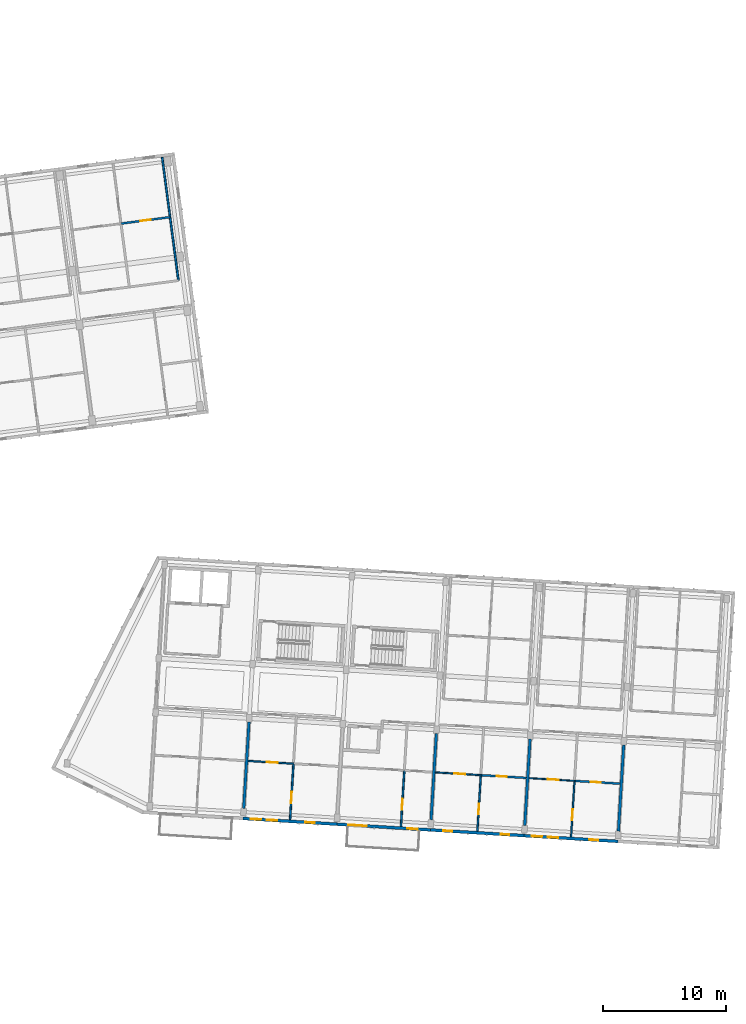
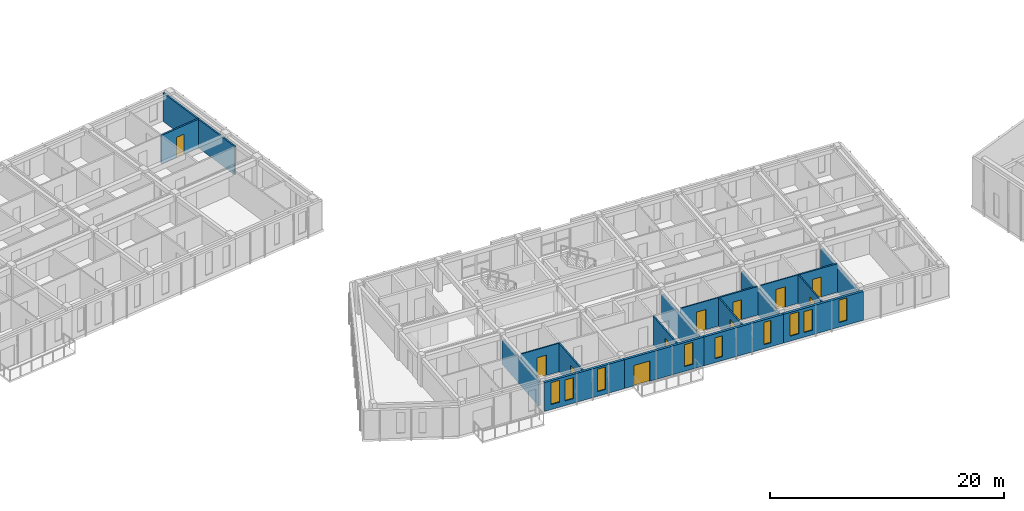
# One storey, part 24 of 65: 19 walls, 11 doors, 9 windows, 20 openings.
"""IFC4 building model written with IfcOpenShell, lengths in metres."""

import ifcopenshell
import ifcopenshell.guid

model = None  # the IFC model being written
_history = None  # IfcOwnerHistory: only IFC2X3 demands one
_inside = {}  # id of a spatial element -> (the spatial element, [elements in it])
_under = {}  # id of a project, library or spatial element -> (it, [spatial elements below it])
_declared = {}  # id of a project -> (the project, [libraries it declares])
_typed = {}  # id of a type object -> (the type object, [elements of that type])
_made_of = {}  # id of a material, layer set ... -> (it, [elements and type objects made of it])


def new_model(schema):
    """Start an empty IFC model of exactly this schema.

    Asked for "IFC4X3", IfcOpenShell would pick the latest addendum, in which some entities
    have other attributes; the version numbers below select the first issue.
    IFC2X3 requires an IfcOwnerHistory on every rooted entity: one is made here for all.
    """
    global model, _history
    if schema == "IFC4X3":
        model = ifcopenshell.file(schema_version=(4, 3, 0, 0))
    else:
        model = ifcopenshell.file(schema=schema)
    _inside.clear()
    _under.clear()
    _declared.clear()
    _typed.clear()
    _made_of.clear()
    _history = None
    if model.schema == "IFC2X3":
        org = make("IfcOrganization", Name="unknown")
        user = make(
            "IfcPersonAndOrganization",
            ThePerson=make("IfcPerson", FamilyName="unknown"),
            TheOrganization=org,
        )
        app = make(
            "IfcApplication",
            ApplicationDeveloper=org,
            Version="unknown",
            ApplicationFullName="unknown",
            ApplicationIdentifier="unknown",
        )
        _history = make(
            "IfcOwnerHistory",
            OwningUser=user,
            OwningApplication=app,
            ChangeAction="ADDED",
            CreationDate=0,
        )
    return model


def make(cls, **values):
    """One entity of the class cls with the attributes given. An attribute that is None is left unset."""
    return model.create_entity(
        cls, **{name: value for name, value in values.items() if value is not None}
    )


def rooted(cls, **values):
    """An entity with a GlobalId (a new one), such as an element, a storey or a relation."""
    return make(cls, GlobalId=ifcopenshell.guid.new(), OwnerHistory=_history, **values)


def si_unit(unit_type, name, prefix=None):
    """IfcSIUnit, for example si_unit("LENGTHUNIT", "METRE", prefix="MILLI")."""
    return make("IfcSIUnit", UnitType=unit_type, Prefix=prefix, Name=name)


def assignment(units):
    """IfcUnitAssignment: the units of a project."""
    return None if units is None else make("IfcUnitAssignment", Units=units)


def point(xyz):
    """IfcCartesianPoint."""
    return None if xyz is None else make("IfcCartesianPoint", Coordinates=xyz)


def direction(xyz):
    """IfcDirection."""
    return None if xyz is None else make("IfcDirection", DirectionRatios=xyz)


def frame(location, z_axis=None, x_axis=None):
    """IfcAxis2Placement3D, a coordinate frame: its origin and axes. An axis left out is left unset."""
    return make(
        "IfcAxis2Placement3D",
        Location=point(location),
        Axis=direction(z_axis),
        RefDirection=direction(x_axis),
    )


def frame_2d(location, x_axis=None):
    """IfcAxis2Placement2D, a coordinate frame in the plane: its origin and x axis."""
    return make(
        "IfcAxis2Placement2D", Location=point(location), RefDirection=direction(x_axis)
    )


def origin():
    """The frame at (0, 0, 0) with its axes left unset."""
    return frame((0.0, 0.0, 0.0))


def place(relative_to, where):
    """IfcLocalPlacement: puts the frame where relative to a parent placement (None: the world)."""
    return make(
        "IfcLocalPlacement", PlacementRelTo=relative_to, RelativePlacement=where
    )


def context(
    kind, dimensions, precision=None, world=None, true_north=None, identifier=None
):
    """IfcGeometricRepresentationContext, for example the 3D "Model" context."""
    return make(
        "IfcGeometricRepresentationContext",
        ContextIdentifier=identifier,
        ContextType=kind,
        CoordinateSpaceDimension=dimensions,
        Precision=precision,
        WorldCoordinateSystem=world,
        TrueNorth=true_north,
    )


def subcontext(parent, identifier, kind, view, scale=None):
    """IfcGeometricRepresentationSubContext, for example "Body" below "Model"."""
    return make(
        "IfcGeometricRepresentationSubContext",
        ContextIdentifier=identifier,
        ContextType=kind,
        ParentContext=parent,
        TargetScale=scale,
        TargetView=view,
    )


def project(units=None, contexts=None):
    """IfcProject with its units and contexts."""
    return rooted(
        "IfcProject",
        Name="project",
        RepresentationContexts=contexts,
        UnitsInContext=assignment(units),
    )


def spatial(cls, under=None, at=None, **own):
    """A site, building, storey or space (cls), placed at a placement, below another one or the project."""
    s = rooted(cls, ObjectPlacement=at, **own)
    if under is not None:
        _under.setdefault(under.id(), (under, []))[1].append(s)
    return s


def profile(cls, at=None, kind="AREA", **sizes):
    """A parametric profile (cls). Its sizes go by their IFC names, for example OverallWidth=200.0."""
    return make(cls, ProfileType=kind, Position=at, **sizes)


def rectangle(**sizes):
    """IfcRectangleProfileDef."""
    return profile("IfcRectangleProfileDef", **sizes)


def extrude(swept, where, along, depth):
    """IfcExtrudedAreaSolid: the profile swept, set in the frame where, extruded along a direction by depth."""
    return make(
        "IfcExtrudedAreaSolid",
        SweptArea=swept,
        Position=where,
        ExtrudedDirection=direction(along),
        Depth=depth,
    )


def shape(context_of_items, identifier, shape_type, items):
    """IfcShapeRepresentation: the items that make up one representation, for example the "Body"."""
    return make(
        "IfcShapeRepresentation",
        ContextOfItems=context_of_items,
        RepresentationIdentifier=identifier,
        RepresentationType=shape_type,
        Items=items,
    )


def material(Name=None, Category=None):
    """IfcMaterial."""
    return make("IfcMaterial", Name=Name, Category=Category)


def layer(
    of_material, thickness, ventilated=None, Name=None, Category=None, Priority=None
):
    """IfcMaterialLayer: one layer of a wall or slab, of a material (None: an air gap)."""
    return make(
        "IfcMaterialLayer",
        Material=of_material,
        LayerThickness=thickness,
        IsVentilated=ventilated,
        Name=Name,
        Category=Category,
        Priority=Priority,
    )


def layer_set(layers, Name=None):
    """IfcMaterialLayerSet."""
    return make("IfcMaterialLayerSet", MaterialLayers=layers, LayerSetName=Name)


def made_of(thing, what):
    """Note that an element or type object is made of a material, layer set ...; save() writes the relation."""
    if what is not None:
        _made_of.setdefault(what.id(), (what, []))[1].append(thing)
    return thing


def type_object(cls, material=None, **own):
    """A type object (cls), such as IfcWallType, which elements share."""
    return made_of(rooted(cls, **own), material)


def element(
    cls,
    number,
    at=None,
    inside=None,
    cuts=None,
    type_object=None,
    material=None,
    context=None,
    identifier="Body",
    shape_type=None,
    held_by="IfcProductDefinitionShape",
    body=None,
    shapes=None,
    **own,
):
    """One element of the class cls, such as IfcWall. Its Tag is "e" and its number.

    at: its placement. inside: the storey or other place that contains it. cuts: it is an
    opening in that element (IfcRelVoidsElement). A single representation is given by context,
    identifier, shape_type and body (its items); several are given by shapes. held_by: the class
    of the entity that holds the representations. save() writes the other relations.
    """
    e = rooted(cls, Tag="e%d" % number, ObjectPlacement=at, **own)
    if body is not None:
        shapes = [shape(context, identifier, shape_type, body)]
    if shapes is not None:
        e.Representation = make(held_by, Representations=shapes)
    if inside is not None:
        _inside.setdefault(inside.id(), (inside, []))[1].append(e)
    if cuts is not None:
        rooted(
            "IfcRelVoidsElement", RelatingBuildingElement=cuts, RelatedOpeningElement=e
        )
    if type_object is not None:
        _typed.setdefault(type_object.id(), (type_object, []))[1].append(e)
    return made_of(e, material)


def fill(opening, filler):
    """IfcRelFillsElement: the door or window that sits in an opening."""
    return rooted(
        "IfcRelFillsElement",
        RelatingOpeningElement=opening,
        RelatedBuildingElement=filler,
    )


def aggregate(whole, parts):
    """IfcRelAggregates: a whole, such as a stair, and the parts it consists of."""
    return rooted("IfcRelAggregates", RelatingObject=whole, RelatedObjects=parts)


def save(model, path):
    """Write the relations noted so far, then the file.

    IfcRelAggregates (storeys below a building ...), IfcRelContainedInSpatialStructure (elements
    in a storey), IfcRelDefinesByType, IfcRelAssociatesMaterial and IfcRelDeclares: one each for
    every whole, place, type object, material and project.
    """
    for whole, parts in _under.values():
        aggregate(whole, parts)
    for where, things in _inside.values():
        rooted(
            "IfcRelContainedInSpatialStructure",
            RelatedElements=things,
            RelatingStructure=where,
        )
    for kind, things in _typed.values():
        rooted("IfcRelDefinesByType", RelatedObjects=things, RelatingType=kind)
    for what, things in _made_of.values():
        rooted("IfcRelAssociatesMaterial", RelatedObjects=things, RelatingMaterial=what)
    for by, libraries in _declared.values():
        rooted("IfcRelDeclares", RelatingContext=by, RelatedDefinitions=libraries)
    model.write(path)


model = new_model("IFC4")

# Units and contexts
model_context = context("Model", 3, precision=1e-05, world=origin(), true_north=direction((0.0, 1.0)))
body_context = subcontext(model_context, "Body", "Model", "MODEL_VIEW")
ifc_project = project(units=[si_unit("LENGTHUNIT", "METRE"), si_unit("AREAUNIT", "SQUARE_METRE"), si_unit("VOLUMEUNIT", "CUBIC_METRE"), si_unit("PLANEANGLEUNIT", "RADIAN"), si_unit("MASSUNIT", "GRAM", prefix="KILO")], contexts=[model_context])

# Site, building, storey
site_placement = place(None, origin())
site = spatial("IfcSite", under=ifc_project, at=site_placement, CompositionType="ELEMENT")
building_placement = place(site_placement, origin())
building = spatial("IfcBuilding", under=site, at=building_placement, Name="Kestramere Prow Commons", CompositionType="ELEMENT")
storey_placement = place(building_placement, frame((0.0, 0.0, 21.39990234375)))
storey = spatial("IfcBuildingStorey", under=building, at=storey_placement, Name="L06", CompositionType="ELEMENT", Elevation=21.39990234375)

# Wall, openings, windows
ifc_material_1 = material(Name="Fluoropolymer Standing-Seam Zinc-Aluminium Cladding", Category="aluminium")
ifc_layer_1 = layer(ifc_material_1, 0.239990234375)
ifc_layer_set_1 = layer_set([ifc_layer_1], Name="Fluoropolymer Standing-Seam Zinc-Aluminium Cladding")
wall_type_1 = type_object("IfcWallType", Name="EW-SEAM-240", PredefinedType="SOLIDWALL", material=ifc_layer_set_1)
wall_1_placement = place(storey_placement, frame((74.6396484375, 45.048095703125, 0.0), z_axis=(0.0, 0.0, 1.0), x_axis=(-0.998135669243, 0.061034300063, 0.0)))
wall_1 = element("IfcWall", 1, at=wall_1_placement, inside=storey, type_object=wall_type_1, Name="Block C L06 South Standing-Seam Wall 2", PredefinedType="SOLIDWALL", context=body_context, shape_type="SweptSolid", body=[
    extrude(rectangle(XDim=7.60009765625, YDim=0.239990234375, at=frame_2d((3.800048828125, 0.0))), origin(), (0.0, 0.0, 1.0), 3.0),
])
opening_1_placement = place(wall_1_placement, frame((1.781494140625, 0.0, 0.47998046875)))
opening_1 = element("IfcOpeningElement", 2, at=opening_1_placement, cuts=wall_1, Name="Opening WN-10", PredefinedType="OPENING", context=body_context, shape_type="SweptSolid", body=[
    extrude(rectangle(XDim=0.760009765625, YDim=2.340087890625, at=frame_2d((0.3798828125, 1.169921875))), frame((0.0, 0.135009765625, 0.0), z_axis=(0.0, -1.0, 0.0), x_axis=(1.0, 0.0, 0.0)), (0.0, 0.0, 1.0), 0.27001953125),
])
opening_2_placement = place(wall_1_placement, frame((4.847900390625, 0.0, 0.47998046875)))
opening_2 = element("IfcOpeningElement", 3, at=opening_2_placement, cuts=wall_1, Name="Opening WN-13", PredefinedType="OPENING", context=body_context, shape_type="SweptSolid", body=[
    extrude(rectangle(XDim=0.820068359375, YDim=2.179931640625, at=frame_2d((0.41015625, 1.08984375))), frame((0.0, 0.135009765625, 0.0), z_axis=(0.0, -1.0, 0.0), x_axis=(1.0, 0.0, 0.0)), (0.0, 0.0, 1.0), 0.27001953125),
])
opening_3_placement = place(wall_1_placement, frame((6.14990234375, 0.0, 0.52001953125)))
opening_3 = element("IfcOpeningElement", 4, at=opening_3_placement, cuts=wall_1, Name="Opening WN-14", PredefinedType="OPENING", context=body_context, shape_type="SweptSolid", body=[
    extrude(rectangle(XDim=0.840087890625, YDim=2.280029296875, at=frame_2d((0.419921875, 1.14013671875))), frame((0.0, 0.135009765625, 0.0), z_axis=(0.0, -1.0, 0.0), x_axis=(1.0, 0.0, 0.0)), (0.0, 0.0, 1.0), 0.27001953125),
])
ifc_material_2 = material(Name="Low-E Laminated Double Glazing", Category="glass")
window_type_1 = type_object("IfcWindowType", Name="WN-NAR-760A", PartitioningType="SINGLE_PANEL", PredefinedType="WINDOW", material=ifc_material_2)
window_1_placement = place(opening_1_placement, origin())
window_1 = element("IfcWindow", 5, at=window_1_placement, inside=storey, type_object=window_type_1, Name="WN-C-L06-S-1-00", OverallHeight=2.340087890625, OverallWidth=0.760009765625, PartitioningType="SINGLE_PANEL", PredefinedType="WINDOW", context=body_context, shape_type="SweptSolid", body=[
    extrude(rectangle(XDim=0.760009765625, YDim=2.340087890625, at=frame_2d((0.3798828125, 1.169921875))), frame((0.0, 0.030029296875, 0.0), z_axis=(0.0, -1.0, 0.0), x_axis=(1.0, 0.0, 0.0)), (0.0, 0.0, 1.0), 0.06005859375),
])
fill(opening_1, window_1)
window_type_2 = type_object("IfcWindowType", Name="WN-NAR-820A", PartitioningType="DOUBLE_PANEL_VERTICAL", PredefinedType="WINDOW", material=ifc_material_2)
window_2_placement = place(opening_2_placement, origin())
window_2 = element("IfcWindow", 6, at=window_2_placement, inside=storey, type_object=window_type_2, Name="WN-C-L06-S-1-10", OverallHeight=2.179931640625, OverallWidth=0.820068359375, PartitioningType="SINGLE_PANEL", PredefinedType="WINDOW", context=body_context, shape_type="SweptSolid", body=[
    extrude(rectangle(XDim=0.820068359375, YDim=2.179931640625, at=frame_2d((0.41015625, 1.08984375))), frame((0.0, 0.030029296875, 0.0), z_axis=(0.0, -1.0, 0.0), x_axis=(1.0, 0.0, 0.0)), (0.0, 0.0, 1.0), 0.06005859375),
])
fill(opening_2, window_2)
window_type_3 = type_object("IfcWindowType", Name="WN-NAR-840A", PartitioningType="DOUBLE_PANEL_VERTICAL", PredefinedType="WINDOW", material=ifc_material_2)
window_3_placement = place(opening_3_placement, origin())
window_3 = element("IfcWindow", 7, at=window_3_placement, inside=storey, type_object=window_type_3, Name="WN-C-L06-S-1-11", OverallHeight=2.280029296875, OverallWidth=0.840087890625, PartitioningType="SINGLE_PANEL", PredefinedType="WINDOW", context=body_context, shape_type="SweptSolid", body=[
    extrude(rectangle(XDim=0.840087890625, YDim=2.280029296875, at=frame_2d((0.419921875, 1.14013671875))), frame((0.0, 0.030029296875, 0.0), z_axis=(0.0, -1.0, 0.0), x_axis=(1.0, 0.0, 0.0)), (0.0, 0.0, 1.0), 0.06005859375),
])
fill(opening_3, window_3)

# Wall, openings, door, window
wall_2_placement = place(storey_placement, frame((82.225341796875, 44.583984375, 0.0), z_axis=(0.0, 0.0, 1.0), x_axis=(-0.998133591969, 0.061068261669, 0.0)))
wall_2 = element("IfcWall", 8, at=wall_2_placement, inside=storey, type_object=wall_type_1, Name="Block C L06 South Standing-Seam Wall 3", PredefinedType="SOLIDWALL", context=body_context, shape_type="SweptSolid", body=[
    extrude(rectangle(XDim=7.599853515625, YDim=0.239990234375, at=frame_2d((3.7998046875, 0.0))), origin(), (0.0, 0.0, 1.0), 3.0),
])
opening_4_placement = place(wall_2_placement, frame((5.1689453125, 0.0, 0.0)))
opening_4 = element("IfcOpeningElement", 9, at=opening_4_placement, cuts=wall_2, Name="Opening GD-BAL-01", PredefinedType="OPENING", context=body_context, shape_type="SweptSolid", body=[
    extrude(rectangle(XDim=1.5, YDim=2.1201171875, at=frame_2d((0.75, 1.06005859375))), frame((0.0, 0.135009765625, 0.0), z_axis=(0.0, -1.0, 0.0), x_axis=(1.0, 0.0, 0.0)), (0.0, 0.0, 1.0), 0.27001953125),
])
opening_5_placement = place(wall_2_placement, frame((1.030029296875, 0.0, 0.5)))
opening_5 = element("IfcOpeningElement", 10, at=opening_5_placement, cuts=wall_2, Name="Opening WN-14", PredefinedType="OPENING", context=body_context, shape_type="SweptSolid", body=[
    extrude(rectangle(XDim=0.840087890625, YDim=2.280029296875, at=frame_2d((0.419921875, 1.14013671875))), frame((0.0, 0.135009765625, 0.0), z_axis=(0.0, -1.0, 0.0), x_axis=(1.0, 0.0, 0.0)), (0.0, 0.0, 1.0), 0.27001953125),
])
ifc_material_3 = material(Name="Thermally-Broken Anodised Aluminium Glazed", Category="aluminium")
door_type_1 = type_object("IfcDoorType", Name="GD-BAL-1500", OperationType="SLIDING_TO_RIGHT", PredefinedType="DOOR", material=ifc_material_3)
door_1_placement = place(opening_4_placement, origin())
door_1 = element("IfcDoor", 11, at=door_1_placement, inside=storey, type_object=door_type_1, Name="Block C L06 Balcony Door 3", OperationType="SLIDING_TO_RIGHT", OverallHeight=2.1201171875, OverallWidth=1.5, PredefinedType="DOOR", context=body_context, shape_type="SweptSolid", body=[
    extrude(rectangle(XDim=1.5, YDim=2.1201171875, at=frame_2d((0.75, 1.06005859375))), frame((0.0, 0.02490234375, 0.0), z_axis=(0.0, -1.0, 0.0), x_axis=(1.0, 0.0, 0.0)), (0.0, 0.0, 1.0), 0.050048828125),
])
fill(opening_4, door_1)
window_4_placement = place(opening_5_placement, origin())
window_4 = element("IfcWindow", 12, at=window_4_placement, inside=storey, type_object=window_type_3, Name="WN-C-L06-SR-2", OverallHeight=2.280029296875, OverallWidth=0.840087890625, PartitioningType="SINGLE_PANEL", PredefinedType="WINDOW", context=body_context, shape_type="SweptSolid", body=[
    extrude(rectangle(XDim=0.840087890625, YDim=2.280029296875, at=frame_2d((0.419921875, 1.14013671875))), frame((0.0, 0.030029296875, 0.0), z_axis=(0.0, -1.0, 0.0), x_axis=(1.0, 0.0, 0.0)), (0.0, 0.0, 1.0), 0.06005859375),
])
fill(opening_5, window_4)

# Wall, openings, windows
wall_3_placement = place(storey_placement, frame((89.811279296875, 44.1201171875, 0.0), z_axis=(0.0, 0.0, 1.0), x_axis=(-0.998135669243, 0.061034300063, 0.0)))
wall_3 = element("IfcWall", 13, at=wall_3_placement, inside=storey, type_object=wall_type_1, Name="Block C L06 South Standing-Seam Wall 4", PredefinedType="SOLIDWALL", context=body_context, shape_type="SweptSolid", body=[
    extrude(rectangle(XDim=7.60009765625, YDim=0.239990234375, at=frame_2d((3.800048828125, 0.0))), origin(), (0.0, 0.0, 1.0), 3.0),
])
opening_6_placement = place(wall_3_placement, frame((1.222900390625, 0.0, 0.419921875)))
opening_6 = element("IfcOpeningElement", 14, at=opening_6_placement, cuts=wall_3, Name="Opening WN-05", PredefinedType="OPENING", context=body_context, shape_type="SweptSolid", body=[
    extrude(rectangle(XDim=0.659912109375, YDim=2.320068359375, at=frame_2d((0.330078125, 1.16015625))), frame((0.0, 0.135009765625, 0.0), z_axis=(0.0, -1.0, 0.0), x_axis=(1.0, 0.0, 0.0)), (0.0, 0.0, 1.0), 0.27001953125),
])
opening_7_placement = place(wall_3_placement, frame((5.836669921875, 0.0, 0.419921875)))
opening_7 = element("IfcOpeningElement", 15, at=opening_7_placement, cuts=wall_3, Name="Opening WN-08", PredefinedType="OPENING", context=body_context, shape_type="SweptSolid", body=[
    extrude(rectangle(XDim=0.719970703125, YDim=2.159912109375, at=frame_2d((0.35986328125, 1.080078125))), frame((0.0, 0.135009765625, 0.0), z_axis=(0.0, -1.0, 0.0), x_axis=(1.0, 0.0, 0.0)), (0.0, 0.0, 1.0), 0.27001953125),
])
window_type_4 = type_object("IfcWindowType", Name="WN-NAR-660A", PartitioningType="SINGLE_PANEL", PredefinedType="WINDOW", material=ifc_material_2)
window_5_placement = place(opening_6_placement, origin())
window_5 = element("IfcWindow", 16, at=window_5_placement, inside=storey, type_object=window_type_4, Name="WN-C-L06-S-3-00", OverallHeight=2.320068359375, OverallWidth=0.659912109375, PartitioningType="SINGLE_PANEL", PredefinedType="WINDOW", context=body_context, shape_type="SweptSolid", body=[
    extrude(rectangle(XDim=0.659912109375, YDim=2.320068359375, at=frame_2d((0.330078125, 1.16015625))), frame((0.0, 0.030029296875, 0.0), z_axis=(0.0, -1.0, 0.0), x_axis=(1.0, 0.0, 0.0)), (0.0, 0.0, 1.0), 0.06005859375),
])
fill(opening_6, window_5)
window_type_5 = type_object("IfcWindowType", Name="WN-NAR-720A", PartitioningType="SINGLE_PANEL", PredefinedType="WINDOW", material=ifc_material_2)
window_6_placement = place(opening_7_placement, origin())
window_6 = element("IfcWindow", 17, at=window_6_placement, inside=storey, type_object=window_type_5, Name="WN-C-L06-S-3-10", OverallHeight=2.159912109375, OverallWidth=0.719970703125, PartitioningType="SINGLE_PANEL", PredefinedType="WINDOW", context=body_context, shape_type="SweptSolid", body=[
    extrude(rectangle(XDim=0.719970703125, YDim=2.159912109375, at=frame_2d((0.35986328125, 1.080078125))), frame((0.0, 0.030029296875, 0.0), z_axis=(0.0, -1.0, 0.0), x_axis=(1.0, 0.0, 0.0)), (0.0, 0.0, 1.0), 0.06005859375),
])
fill(opening_7, window_6)

wall_4_placement = place(storey_placement, frame((97.39697265625, 43.65625, 0.0), z_axis=(0.0, 0.0, 1.0), x_axis=(-0.998135549572, 0.061036257095, 0.0)))
wall_4 = element("IfcWall", 18, at=wall_4_placement, inside=storey, type_object=wall_type_1, Name="Block C L06 South Standing-Seam Wall 5", PredefinedType="SOLIDWALL", context=body_context, shape_type="SweptSolid", body=[
    extrude(rectangle(XDim=7.599853515625, YDim=0.239990234375, at=frame_2d((3.7998046875, 0.0))), origin(), (0.0, 0.0, 1.0), 3.0),
])
opening_8_placement = place(wall_4_placement, frame((1.5712890625, 0.0, 0.47998046875)))
opening_8 = element("IfcOpeningElement", 19, at=opening_8_placement, cuts=wall_4, Name="Opening WN-10", PredefinedType="OPENING", context=body_context, shape_type="SweptSolid", body=[
    extrude(rectangle(XDim=0.760009765625, YDim=2.340087890625, at=frame_2d((0.3798828125, 1.169921875))), frame((0.0, 0.135009765625, 0.0), z_axis=(0.0, -1.0, 0.0), x_axis=(1.0, 0.0, 0.0)), (0.0, 0.0, 1.0), 0.27001953125),
])
opening_9_placement = place(wall_4_placement, frame((4.847900390625, 0.0, 0.47998046875)))
opening_9 = element("IfcOpeningElement", 20, at=opening_9_placement, cuts=wall_4, Name="Opening WN-13", PredefinedType="OPENING", context=body_context, shape_type="SweptSolid", body=[
    extrude(rectangle(XDim=0.820068359375, YDim=2.179931640625, at=frame_2d((0.41015625, 1.08984375))), frame((0.0, 0.135009765625, 0.0), z_axis=(0.0, -1.0, 0.0), x_axis=(1.0, 0.0, 0.0)), (0.0, 0.0, 1.0), 0.27001953125),
])
opening_10_placement = place(wall_4_placement, frame((6.14990234375, 0.0, 0.52001953125)))
opening_10 = element("IfcOpeningElement", 21, at=opening_10_placement, cuts=wall_4, Name="Opening WN-14", PredefinedType="OPENING", context=body_context, shape_type="SweptSolid", body=[
    extrude(rectangle(XDim=0.840087890625, YDim=2.280029296875, at=frame_2d((0.419921875, 1.14013671875))), frame((0.0, 0.135009765625, 0.0), z_axis=(0.0, -1.0, 0.0), x_axis=(1.0, 0.0, 0.0)), (0.0, 0.0, 1.0), 0.27001953125),
])
window_7_placement = place(opening_8_placement, origin())
window_7 = element("IfcWindow", 22, at=window_7_placement, inside=storey, type_object=window_type_1, Name="WN-C-L06-S-4-00", OverallHeight=2.340087890625, OverallWidth=0.760009765625, PartitioningType="SINGLE_PANEL", PredefinedType="WINDOW", context=body_context, shape_type="SweptSolid", body=[
    extrude(rectangle(XDim=0.760009765625, YDim=2.340087890625, at=frame_2d((0.3798828125, 1.169921875))), frame((0.0, 0.030029296875, 0.0), z_axis=(0.0, -1.0, 0.0), x_axis=(1.0, 0.0, 0.0)), (0.0, 0.0, 1.0), 0.06005859375),
])
fill(opening_8, window_7)
window_8_placement = place(opening_9_placement, origin())
window_8 = element("IfcWindow", 23, at=window_8_placement, inside=storey, type_object=window_type_2, Name="WN-C-L06-S-4-10", OverallHeight=2.179931640625, OverallWidth=0.820068359375, PartitioningType="SINGLE_PANEL", PredefinedType="WINDOW", context=body_context, shape_type="SweptSolid", body=[
    extrude(rectangle(XDim=0.820068359375, YDim=2.179931640625, at=frame_2d((0.41015625, 1.08984375))), frame((0.0, 0.030029296875, 0.0), z_axis=(0.0, -1.0, 0.0), x_axis=(1.0, 0.0, 0.0)), (0.0, 0.0, 1.0), 0.06005859375),
])
fill(opening_9, window_8)
window_9_placement = place(opening_10_placement, origin())
window_9 = element("IfcWindow", 24, at=window_9_placement, inside=storey, type_object=window_type_3, Name="WN-C-L06-S-4-11", OverallHeight=2.280029296875, OverallWidth=0.840087890625, PartitioningType="SINGLE_PANEL", PredefinedType="WINDOW", context=body_context, shape_type="SweptSolid", body=[
    extrude(rectangle(XDim=0.840087890625, YDim=2.280029296875, at=frame_2d((0.419921875, 1.14013671875))), frame((0.0, 0.030029296875, 0.0), z_axis=(0.0, -1.0, 0.0), x_axis=(1.0, 0.0, 0.0)), (0.0, 0.0, 1.0), 0.06005859375),
])
fill(opening_10, window_9)

# Wall, opening, door
ifc_material_4 = material(Name="Gypsum Acoustic Drywall")
ifc_layer_2 = layer(ifc_material_4, 0.10009765625)
ifc_layer_set_2 = layer_set([ifc_layer_2], Name="Gypsum Acoustic Drywall")
wall_type_2 = type_object("IfcWallType", Name="W-PART-100", PredefinedType="PARTITIONING", material=ifc_layer_set_2)
wall_5_placement = place(storey_placement, frame((90.21142578125, 48.779296875, 0.0), z_axis=(0.0, 0.0, 1.0), x_axis=(0.998136719672, -0.061017119263, 0.0)))
wall_5 = element("IfcWall", 25, at=wall_5_placement, inside=storey, type_object=wall_type_2, Name="Interior Partition PW-C-L06-MIDS1-4", PredefinedType="PARTITIONING", context=body_context, shape_type="SweptSolid", body=[
    extrude(rectangle(XDim=3.68505859375, YDim=0.10009765625, at=frame_2d((1.842529296875, 0.0))), origin(), (0.0, 0.0, 1.0), 2.97021484375),
])
opening_11_placement = place(wall_5_placement, frame((1.52490234375, 0.0, 0.0)))
opening_11 = element("IfcOpeningElement", 26, at=opening_11_placement, cuts=wall_5, Name="Opening ID-10", PredefinedType="OPENING", context=body_context, shape_type="SweptSolid", body=[
    extrude(rectangle(XDim=0.8798828125, YDim=2.10009765625, at=frame_2d((0.43994140625, 1.050048828125))), frame((0.0, 0.06494140625, 0.0), z_axis=(0.0, -1.0, 0.0), x_axis=(1.0, 0.0, 0.0)), (0.0, 0.0, 1.0), 0.130126953125),
])
ifc_material_5 = material(Name="Engineered Timber Bedroom Door", Category="wood")
door_type_2 = type_object("IfcDoorType", Name="D-RM-03", OperationType="NOTDEFINED", PredefinedType="DOOR", material=ifc_material_5)
door_2_placement = place(opening_11_placement, origin())
door_2 = element("IfcDoor", 27, at=door_2_placement, inside=storey, type_object=door_type_2, Name="Interior Door DR-C-L06-KL-S4", OperationType="SINGLE_SWING_RIGHT", OverallHeight=2.10009765625, OverallWidth=0.8798828125, PredefinedType="DOOR", context=body_context, shape_type="SweptSolid", body=[
    extrude(rectangle(XDim=0.8798828125, YDim=2.10009765625, at=frame_2d((0.43994140625, 1.050048828125))), frame((0.0, 0.02490234375, 0.0), z_axis=(0.0, -1.0, 0.0), x_axis=(1.0, 0.0, 0.0)), (0.0, 0.0, 1.0), 0.050048828125),
])
fill(opening_11, door_2)

ifc_layer_3 = layer(ifc_material_4, 0.110107421875)
ifc_layer_set_3 = layer_set([ifc_layer_3], Name="Gypsum Acoustic Drywall")
wall_type_3 = type_object("IfcWallType", Name="W-PART-110", PredefinedType="PARTITIONING", material=ifc_layer_set_3)
wall_6_placement = place(storey_placement, frame((82.62548828125, 49.243408203125, 0.0), z_axis=(0.0, 0.0, 1.0), x_axis=(0.998132682596, -0.061083123148, 0.0)))
wall_6 = element("IfcWall", 28, at=wall_6_placement, inside=storey, type_object=wall_type_3, Name="Interior Partition PW-C-L06-MIDS1-3", PredefinedType="PARTITIONING", context=body_context, shape_type="SweptSolid", body=[
    extrude(rectangle(XDim=3.68505859375, YDim=0.110107421875, at=frame_2d((1.842529296875, 0.0))), origin(), (0.0, 0.0, 1.0), 2.97021484375),
])
opening_12_placement = place(wall_6_placement, frame((1.52490234375, 0.0, 0.0)))
opening_12 = element("IfcOpeningElement", 29, at=opening_12_placement, cuts=wall_6, Name="Opening ID-08", PredefinedType="OPENING", context=body_context, shape_type="SweptSolid", body=[
    extrude(rectangle(XDim=0.89990234375, YDim=2.10009765625, at=frame_2d((0.449951171875, 1.050048828125))), frame((0.0, 0.070068359375, 0.0), z_axis=(0.0, -1.0, 0.0), x_axis=(1.0, 0.0, 0.0)), (0.0, 0.0, 1.0), 0.14013671875),
])
ifc_material_6 = material(Name="Engineered Timber Flush Door", Category="wood")
door_type_3 = type_object("IfcDoorType", Name="D-RM-01", OperationType="NOTDEFINED", PredefinedType="DOOR", material=ifc_material_6)
door_3_placement = place(opening_12_placement, origin())
door_3 = element("IfcDoor", 30, at=door_3_placement, inside=storey, type_object=door_type_3, Name="Interior Door DR-C-L06-KL-S3", OperationType="SINGLE_SWING_RIGHT", OverallHeight=2.10009765625, OverallWidth=0.89990234375, PredefinedType="DOOR", context=body_context, shape_type="SweptSolid", body=[
    extrude(rectangle(XDim=0.89990234375, YDim=2.10009765625, at=frame_2d((0.449951171875, 1.050048828125))), frame((0.0, 0.02490234375, 0.0), z_axis=(0.0, -1.0, 0.0), x_axis=(1.0, 0.0, 0.0)), (0.0, 0.0, 1.0), 0.050048828125),
])
fill(opening_12, door_3)

ifc_material_7 = material(Name="Lightweight Blockwork and Plaster", Category="masonry")
ifc_layer_4 = layer(ifc_material_7, 0.1201171875)
ifc_layer_set_4 = layer_set([ifc_layer_4], Name="Lightweight Blockwork and Plaster")
wall_type_4 = type_object("IfcWallType", Name="W-PART-120", PredefinedType="PARTITIONING", material=ifc_layer_set_4)
wall_7_placement = place(storey_placement, frame((67.453857421875, 50.17138671875, 0.0), z_axis=(0.0, 0.0, 1.0), x_axis=(0.998132682596, -0.061083123148, 0.0)))
wall_7 = element("IfcWall", 31, at=wall_7_placement, inside=storey, type_object=wall_type_4, Name="Interior Partition PW-C-L06-MIDS1-1", PredefinedType="PARTITIONING", context=body_context, shape_type="SweptSolid", body=[
    extrude(rectangle(XDim=3.68505859375, YDim=0.1201171875, at=frame_2d((1.842529296875, 0.0))), origin(), (0.0, 0.0, 1.0), 2.97021484375),
])
opening_13_placement = place(wall_7_placement, frame((1.52490234375, 0.0, 0.0)))
opening_13 = element("IfcOpeningElement", 32, at=opening_13_placement, cuts=wall_7, Name="Opening ID-08", PredefinedType="OPENING", context=body_context, shape_type="SweptSolid", body=[
    extrude(rectangle(XDim=0.89990234375, YDim=2.10009765625, at=frame_2d((0.449951171875, 1.050048828125))), frame((0.0, 0.074951171875, 0.0), z_axis=(0.0, -1.0, 0.0), x_axis=(1.0, 0.0, 0.0)), (0.0, 0.0, 1.0), 0.150146484375),
])
door_4_placement = place(opening_13_placement, origin())
door_4 = element("IfcDoor", 33, at=door_4_placement, inside=storey, type_object=door_type_3, Name="Interior Door DR-C-L06-KL-S1", OperationType="SINGLE_SWING_RIGHT", OverallHeight=2.10009765625, OverallWidth=0.89990234375, PredefinedType="DOOR", context=body_context, shape_type="SweptSolid", body=[
    extrude(rectangle(XDim=0.89990234375, YDim=2.10009765625, at=frame_2d((0.449951171875, 1.050048828125))), frame((0.0, 0.02490234375, 0.0), z_axis=(0.0, -1.0, 0.0), x_axis=(1.0, 0.0, 0.0)), (0.0, 0.0, 1.0), 0.050048828125),
])
fill(opening_13, door_4)

wall_8_placement = place(storey_placement, frame((93.6123046875, 44.02294921875, 0.0), z_axis=(0.0, 0.0, 1.0), x_axis=(0.061089289302, 0.998132305224, 0.0)))
wall_8 = element("IfcWall", 34, at=wall_8_placement, inside=storey, type_object=wall_type_4, Name="Interior Partition PW-C-L06-LB-S4", PredefinedType="PARTITIONING", context=body_context, shape_type="SweptSolid", body=[
    extrude(rectangle(XDim=4.5400390625, YDim=0.1201171875, at=frame_2d((2.27001953125, 0.0))), origin(), (0.0, 0.0, 1.0), 2.97021484375),
])
opening_14_placement = place(wall_8_placement, frame((1.35009765625, 0.0, 0.0)))
opening_14 = element("IfcOpeningElement", 35, at=opening_14_placement, cuts=wall_8, Name="Opening ID-08", PredefinedType="OPENING", context=body_context, shape_type="SweptSolid", body=[
    extrude(rectangle(XDim=0.89990234375, YDim=2.10009765625, at=frame_2d((0.449951171875, 1.050048828125))), frame((0.0, 0.074951171875, 0.0), z_axis=(0.0, -1.0, 0.0), x_axis=(1.0, 0.0, 0.0)), (0.0, 0.0, 1.0), 0.150146484375),
])
door_5_placement = place(opening_14_placement, origin())
door_5 = element("IfcDoor", 36, at=door_5_placement, inside=storey, type_object=door_type_3, Name="Interior Door DR-C-L06-BED-S4", OperationType="SINGLE_SWING_LEFT", OverallHeight=2.10009765625, OverallWidth=0.89990234375, PredefinedType="DOOR", context=body_context, shape_type="SweptSolid", body=[
    extrude(rectangle(XDim=0.89990234375, YDim=2.10009765625, at=frame_2d((0.449951171875, 1.050048828125))), frame((0.0, 0.02490234375, 0.0), z_axis=(0.0, -1.0, 0.0), x_axis=(1.0, 0.0, 0.0)), (0.0, 0.0, 1.0), 0.050048828125),
])
fill(opening_14, door_5)

ifc_layer_5 = layer(ifc_material_7, 0.1298828125)
ifc_layer_set_5 = layer_set([ifc_layer_5], Name="Lightweight Blockwork and Plaster")
wall_type_5 = type_object("IfcWallType", Name="W-PART-130", PredefinedType="PARTITIONING", material=ifc_layer_set_5)
wall_9_placement = place(storey_placement, frame((86.026611328125, 44.48681640625, 0.0), z_axis=(0.0, 0.0, 1.0), x_axis=(0.061035713941, 0.998135582786, 0.0)))
wall_9 = element("IfcWall", 37, at=wall_9_placement, inside=storey, type_object=wall_type_5, Name="Interior Partition PW-C-L06-LB-S3", PredefinedType="PARTITIONING", context=body_context, shape_type="SweptSolid", body=[
    extrude(rectangle(XDim=4.5400390625, YDim=0.1298828125, at=frame_2d((2.27001953125, 0.0))), origin(), (0.0, 0.0, 1.0), 2.97021484375),
])
opening_15_placement = place(wall_9_placement, frame((1.35009765625, 0.0, 0.0)))
opening_15 = element("IfcOpeningElement", 38, at=opening_15_placement, cuts=wall_9, Name="Opening ID-10", PredefinedType="OPENING", context=body_context, shape_type="SweptSolid", body=[
    extrude(rectangle(XDim=0.8798828125, YDim=2.10009765625, at=frame_2d((0.43994140625, 1.050048828125))), frame((0.0, 0.079833984375, 0.0), z_axis=(0.0, -1.0, 0.0), x_axis=(1.0, 0.0, 0.0)), (0.0, 0.0, 1.0), 0.159912109375),
])
door_6_placement = place(opening_15_placement, origin())
door_6 = element("IfcDoor", 39, at=door_6_placement, inside=storey, type_object=door_type_2, Name="Interior Door DR-C-L06-BED-S3", OperationType="SINGLE_SWING_RIGHT", OverallHeight=2.10009765625, OverallWidth=0.8798828125, PredefinedType="DOOR", context=body_context, shape_type="SweptSolid", body=[
    extrude(rectangle(XDim=0.8798828125, YDim=2.10009765625, at=frame_2d((0.43994140625, 1.050048828125))), frame((0.0, 0.02490234375, 0.0), z_axis=(0.0, -1.0, 0.0), x_axis=(1.0, 0.0, 0.0)), (0.0, 0.0, 1.0), 0.050048828125),
])
fill(opening_15, door_6)

ifc_material_8 = material(Name="Masonry Compartment Wall", Category="masonry")
ifc_layer_6 = layer(ifc_material_8, 0.139892578125)
ifc_layer_set_6 = layer_set([ifc_layer_6], Name="Masonry Compartment Wall")
wall_type_6 = type_object("IfcWallType", Name="W-PART-140", PredefinedType="PARTITIONING", material=ifc_layer_set_6)
wall_10_placement = place(storey_placement, frame((70.85498046875, 45.414794921875, 0.0), z_axis=(0.0, 0.0, 1.0), x_axis=(0.061035713941, 0.998135582786, 0.0)))
wall_10 = element("IfcWall", 40, at=wall_10_placement, inside=storey, type_object=wall_type_6, Name="Interior Partition PW-C-L06-LB-S1", PredefinedType="PARTITIONING", context=body_context, shape_type="SweptSolid", body=[
    extrude(rectangle(XDim=4.5400390625, YDim=0.139892578125, at=frame_2d((2.27001953125, 0.0))), origin(), (0.0, 0.0, 1.0), 2.97021484375),
])
opening_16_placement = place(wall_10_placement, frame((1.35009765625, 0.0, 0.0)))
opening_16 = element("IfcOpeningElement", 41, at=opening_16_placement, cuts=wall_10, Name="Opening ID-08", PredefinedType="OPENING", context=body_context, shape_type="SweptSolid", body=[
    extrude(rectangle(XDim=0.89990234375, YDim=2.10009765625, at=frame_2d((0.449951171875, 1.050048828125))), frame((0.0, 0.0849609375, 0.0), z_axis=(0.0, -1.0, 0.0), x_axis=(1.0, 0.0, 0.0)), (0.0, 0.0, 1.0), 0.169921875),
])
door_7_placement = place(opening_16_placement, origin())
door_7 = element("IfcDoor", 42, at=door_7_placement, inside=storey, type_object=door_type_3, Name="Interior Door DR-C-L06-BED-S1", OperationType="SINGLE_SWING_RIGHT", OverallHeight=2.10009765625, OverallWidth=0.89990234375, PredefinedType="DOOR", context=body_context, shape_type="SweptSolid", body=[
    extrude(rectangle(XDim=0.89990234375, YDim=2.10009765625, at=frame_2d((0.449951171875, 1.050048828125))), frame((0.0, 0.02490234375, 0.0), z_axis=(0.0, -1.0, 0.0), x_axis=(1.0, 0.0, 0.0)), (0.0, 0.0, 1.0), 0.050048828125),
])
fill(opening_16, door_7)

wall_11_placement = place(storey_placement, frame((79.833251953125, 44.86572265625, 0.0), z_axis=(0.0, 0.0, 1.0), x_axis=(0.061035713941, 0.998135582786, 0.0)))
wall_11 = element("IfcWall", 43, at=wall_11_placement, inside=storey, type_object=wall_type_6, Name="Interior Partition PW-C-L06-LB-S2", PredefinedType="PARTITIONING", context=body_context, shape_type="SweptSolid", body=[
    extrude(rectangle(XDim=4.5400390625, YDim=0.139892578125, at=frame_2d((2.27001953125, 0.0))), origin(), (0.0, 0.0, 1.0), 2.97021484375),
])
opening_17_placement = place(wall_11_placement, frame((1.35009765625, 0.0, 0.0)))
opening_17 = element("IfcOpeningElement", 44, at=opening_17_placement, cuts=wall_11, Name="Opening ID-08", PredefinedType="OPENING", context=body_context, shape_type="SweptSolid", body=[
    extrude(rectangle(XDim=0.89990234375, YDim=2.10009765625, at=frame_2d((0.449951171875, 1.050048828125))), frame((0.0, 0.0849609375, 0.0), z_axis=(0.0, -1.0, 0.0), x_axis=(1.0, 0.0, 0.0)), (0.0, 0.0, 1.0), 0.169921875),
])
door_8_placement = place(opening_17_placement, origin())
door_8 = element("IfcDoor", 45, at=door_8_placement, inside=storey, type_object=door_type_3, Name="Interior Door DR-C-L06-BED-S2", OperationType="SINGLE_SWING_LEFT", OverallHeight=2.10009765625, OverallWidth=0.89990234375, PredefinedType="DOOR", context=body_context, shape_type="SweptSolid", body=[
    extrude(rectangle(XDim=0.89990234375, YDim=2.10009765625, at=frame_2d((0.449951171875, 1.050048828125))), frame((0.0, 0.02490234375, 0.0), z_axis=(0.0, -1.0, 0.0), x_axis=(1.0, 0.0, 0.0)), (0.0, 0.0, 1.0), 0.050048828125),
])
fill(opening_17, door_8)

# Wall
ifc_layer_7 = layer(ifc_material_8, 0.14990234375)
ifc_layer_set_7 = layer_set([ifc_layer_7], Name="Masonry Compartment Wall")
wall_type_7 = type_object("IfcWallType", Name="W-PART-150", PredefinedType="PARTITIONING", material=ifc_layer_set_7)
wall_12_placement = place(storey_placement, frame((61.814697265625, 89.072509765625, 0.0), z_axis=(0.0, 0.0, 1.0), x_axis=(-0.130531024319, 0.991444225204, 0.0)))
element("IfcWall", 46, at=wall_12_placement, inside=storey, type_object=wall_type_7, Name="Interior Partition PW-A-L06-NWR-5", PredefinedType="PARTITIONING", context=body_context, shape_type="SweptSolid", body=[
    extrude(rectangle(XDim=10.070068359375, YDim=0.14990234375, at=frame_2d((5.03515625, 0.0))), origin(), (0.0, 0.0, 1.0), 2.97021484375),
])

# Wall, opening, door
ifc_material_9 = material(Name="Waterproof Sanitary Masonry Wall", Category="masonry")
ifc_layer_8 = layer(ifc_material_9, 0.1650390625)
ifc_layer_set_8 = layer_set([ifc_layer_8], Name="Waterproof Sanitary Masonry Wall")
wall_type_8 = type_object("IfcWallType", Name="W-PLUMB-150", PredefinedType="PLUMBINGWALL", material=ifc_layer_set_8)
wall_13_placement = place(storey_placement, frame((57.162841796875, 93.684814453125, 0.0), z_axis=(0.0, 0.0, 1.0), x_axis=(0.991443516139, 0.130536409887, 0.0)))
wall_13 = element("IfcWall", 47, at=wall_13_placement, inside=storey, type_object=wall_type_8, Name="Interior Partition PW-A-L06-MIDN2-5", PredefinedType="PLUMBINGWALL", context=body_context, shape_type="SweptSolid", body=[
    extrude(rectangle(XDim=4.010009765625, YDim=0.1650390625, at=frame_2d((2.0048828125, 0.0))), origin(), (0.0, 0.0, 1.0), 2.97021484375),
])
opening_18_placement = place(wall_13_placement, frame((1.594970703125, 0.0, 0.0)))
opening_18 = element("IfcOpeningElement", 48, at=opening_18_placement, cuts=wall_13, Name="Opening ID-11", PredefinedType="OPENING", context=body_context, shape_type="SweptSolid", body=[
    extrude(rectangle(XDim=0.820068359375, YDim=2.080078125, at=frame_2d((0.41015625, 1.0400390625))), frame((0.0, 0.097412109375, 0.0), z_axis=(0.0, -1.0, 0.0), x_axis=(1.0, 0.0, 0.0)), (0.0, 0.0, 1.0), 0.195068359375),
])
ifc_material_10 = material(Name="Moisture-Resistant Timber Bathroom Door", Category="wood")
door_type_4 = type_object("IfcDoorType", Name="D-BT-01", OperationType="NOTDEFINED", PredefinedType="DOOR", material=ifc_material_10)
door_9_placement = place(opening_18_placement, origin())
door_9 = element("IfcDoor", 49, at=door_9_placement, inside=storey, type_object=door_type_4, Name="Interior Door DR-A-L06-BTH-N5", OperationType="SINGLE_SWING_RIGHT", OverallHeight=2.080078125, OverallWidth=0.820068359375, PredefinedType="DOOR", context=body_context, shape_type="SweptSolid", body=[
    extrude(rectangle(XDim=0.820068359375, YDim=2.080078125, at=frame_2d((0.41015625, 1.0400390625))), frame((0.0, 0.02490234375, 0.0), z_axis=(0.0, -1.0, 0.0), x_axis=(1.0, 0.0, 0.0)), (0.0, 0.0, 1.0), 0.050048828125),
])
fill(opening_18, door_9)

wall_14_placement = place(storey_placement, frame((86.3037109375, 49.018310546875, 0.0), z_axis=(0.0, 0.0, 1.0), x_axis=(0.998136719672, -0.061017119263, 0.0)))
wall_14 = element("IfcWall", 50, at=wall_14_placement, inside=storey, type_object=wall_type_8, Name="Interior Partition PW-C-L06-MIDS2-3", PredefinedType="PLUMBINGWALL", context=body_context, shape_type="SweptSolid", body=[
    extrude(rectangle(XDim=3.68505859375, YDim=0.1650390625, at=frame_2d((1.842529296875, 0.0))), origin(), (0.0, 0.0, 1.0), 2.97021484375),
])
opening_19_placement = place(wall_14_placement, frame((1.300048828125, 0.0, 0.0)))
opening_19 = element("IfcOpeningElement", 51, at=opening_19_placement, cuts=wall_14, Name="Opening ID-11", PredefinedType="OPENING", context=body_context, shape_type="SweptSolid", body=[
    extrude(rectangle(XDim=0.820068359375, YDim=2.080078125, at=frame_2d((0.41015625, 1.0400390625))), frame((0.0, 0.097412109375, 0.0), z_axis=(0.0, -1.0, 0.0), x_axis=(1.0, 0.0, 0.0)), (0.0, 0.0, 1.0), 0.195068359375),
])
door_10_placement = place(opening_19_placement, origin())
door_10 = element("IfcDoor", 52, at=door_10_placement, inside=storey, type_object=door_type_4, Name="Interior Door DR-C-L06-BTH-S3", OperationType="SINGLE_SWING_LEFT", OverallHeight=2.080078125, OverallWidth=0.820068359375, PredefinedType="DOOR", context=body_context, shape_type="SweptSolid", body=[
    extrude(rectangle(XDim=0.820068359375, YDim=2.080078125, at=frame_2d((0.41015625, 1.0400390625))), frame((0.0, 0.02490234375, 0.0), z_axis=(0.0, -1.0, 0.0), x_axis=(1.0, 0.0, 0.0)), (0.0, 0.0, 1.0), 0.050048828125),
])
fill(opening_19, door_10)

wall_15_placement = place(storey_placement, frame((93.8896484375, 48.554443359375, 0.0), z_axis=(0.0, 0.0, 1.0), x_axis=(0.99813243538, -0.061087162657, 0.0)))
wall_15 = element("IfcWall", 53, at=wall_15_placement, inside=storey, type_object=wall_type_8, Name="Interior Partition PW-C-L06-MIDS2-4", PredefinedType="PLUMBINGWALL", context=body_context, shape_type="SweptSolid", body=[
    extrude(rectangle(XDim=3.684814453125, YDim=0.1650390625, at=frame_2d((1.84228515625, 0.0))), origin(), (0.0, 0.0, 1.0), 2.97021484375),
])
opening_20_placement = place(wall_15_placement, frame((1.300048828125, 0.0, 0.0)))
opening_20 = element("IfcOpeningElement", 54, at=opening_20_placement, cuts=wall_15, Name="Opening ID-11", PredefinedType="OPENING", context=body_context, shape_type="SweptSolid", body=[
    extrude(rectangle(XDim=0.820068359375, YDim=2.080078125, at=frame_2d((0.41015625, 1.0400390625))), frame((0.0, 0.097412109375, 0.0), z_axis=(0.0, -1.0, 0.0), x_axis=(1.0, 0.0, 0.0)), (0.0, 0.0, 1.0), 0.195068359375),
])
door_11_placement = place(opening_20_placement, origin())
door_11 = element("IfcDoor", 55, at=door_11_placement, inside=storey, type_object=door_type_4, Name="Interior Door DR-C-L06-BTH-S4", OperationType="SINGLE_SWING_LEFT", OverallHeight=2.080078125, OverallWidth=0.820068359375, PredefinedType="DOOR", context=body_context, shape_type="SweptSolid", body=[
    extrude(rectangle(XDim=0.820068359375, YDim=2.080078125, at=frame_2d((0.41015625, 1.0400390625))), frame((0.0, 0.02490234375, 0.0), z_axis=(0.0, -1.0, 0.0), x_axis=(1.0, 0.0, 0.0)), (0.0, 0.0, 1.0), 0.050048828125),
])
fill(opening_20, door_11)

# Walls
ifc_material_11 = material(Name="Precast concrete C40/50", Category="concrete")
ifc_layer_9 = layer(ifc_material_11, 0.219970703125)
ifc_layer_set_9 = layer_set([ifc_layer_9], Name="Precast concrete C40/50")
wall_type_9 = type_object("IfcWallType", Name="W-XWALL-220", PredefinedType="SHEAR", material=ifc_layer_set_9)
for number, where, z_axis, x_axis, name in (
    (56, (67.104248046875, 46.33544921875, 0.0), (0.0, 0.0, 1.0), (0.061034188237, 0.998135676081, 0.0), "Block C L06 Precast Cross-Wall 1"),
    (57, (82.27587890625, 45.407470703125, 0.0), (0.0, 0.0, 1.0), (0.061034188237, 0.998135676081, 0.0), "Block C L06 Precast Cross-Wall 3"),
    (58, (89.861572265625, 44.943603515625, 0.0), (0.0, 0.0, 1.0), (0.061071060859, 0.998133420704, 0.0), "Block C L06 Precast Cross-Wall 4"),
    (59, (97.447509765625, 44.4794921875, 0.0), (0.0, 0.0, 1.0), (0.061034188237, 0.998135676081, 0.0), "Block C L06 Precast Cross-Wall 5"),
):
    element("IfcWall", number, at=place(storey_placement, frame(where, z_axis=z_axis, x_axis=x_axis)), inside=storey, type_object=wall_type_9, Name=name, PredefinedType="SHEAR", context=body_context, shape_type="SweptSolid", body=[
        extrude(rectangle(XDim=7.0, YDim=0.219970703125, at=frame_2d((3.5, 0.0))), origin(), (0.0, 0.0, 1.0), 2.5),
    ])

save(model, "model.ifc")
